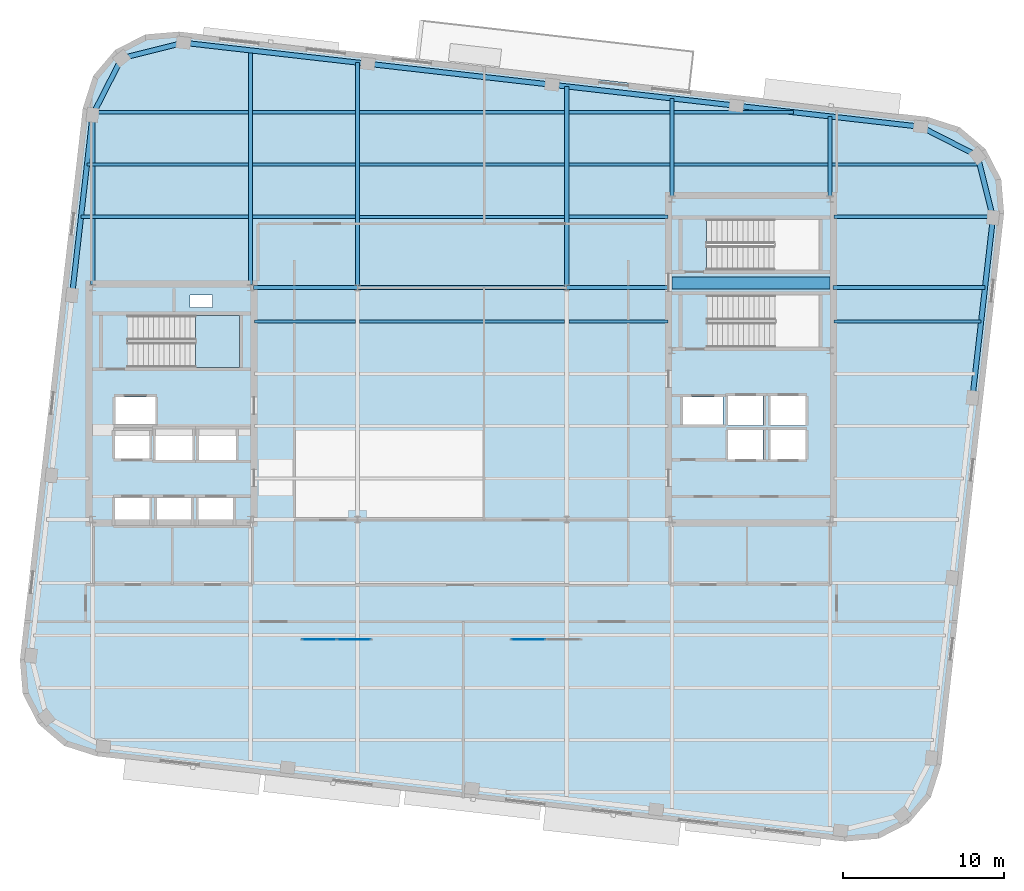
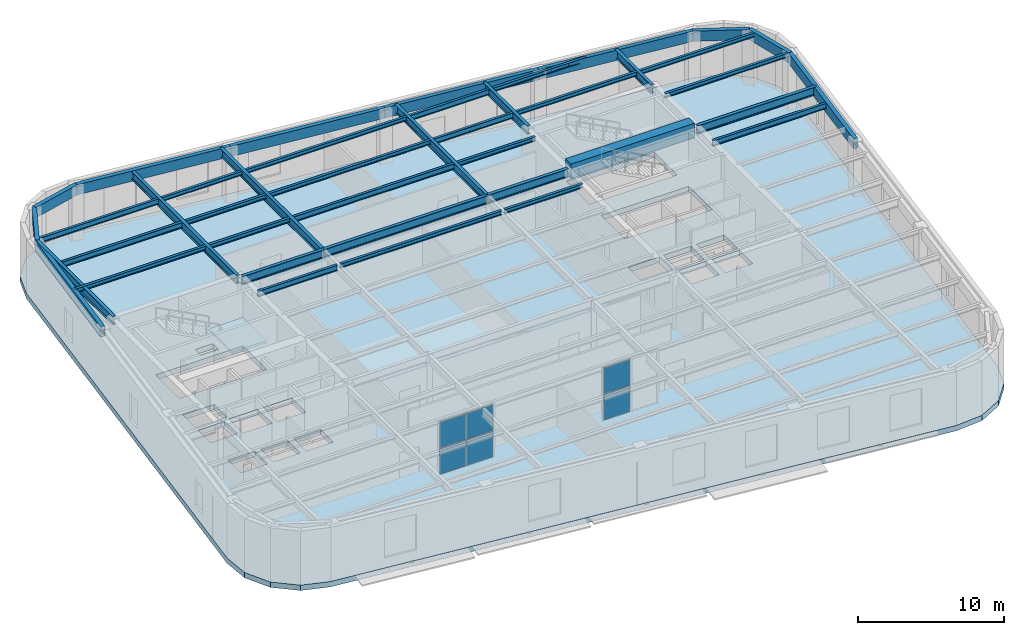
# One storey, part 6 of 15: 41 beams, 6 plates, 2 slabs, 3 elements without a shape of their own.
"""IFC4 building model written with IfcOpenShell, lengths in metres."""

from ifc_helpers import new_model, si_unit, direction, frame, origin, origin_2d, place, context, subcontext, project, spatial, polyline, rectangle, hollow_rectangle, i_section, outline, extrude, material, layer, layer_set, material_profile, profile_set, type_object, element, aggregate, save


model = new_model("IFC4")

# Units and contexts
model_context = context("Model", 3, precision=1e-05, world=origin(), true_north=direction((0.0, 1.0)))
body_context = subcontext(model_context, "Body", "Model", "MODEL_VIEW")
ifc_project = project(units=[si_unit("LENGTHUNIT", "METRE"), si_unit("AREAUNIT", "SQUARE_METRE"), si_unit("VOLUMEUNIT", "CUBIC_METRE"), si_unit("PLANEANGLEUNIT", "RADIAN"), si_unit("MASSUNIT", "GRAM", prefix="KILO")], contexts=[model_context])

# Site, building, storey
site_placement = place(None, origin())
site = spatial("IfcSite", under=ifc_project, at=site_placement, CompositionType="ELEMENT")
building_placement = place(site_placement, origin())
building = spatial("IfcBuilding", under=site, at=building_placement, Name="Kolvaren Arena Tower", CompositionType="ELEMENT")
storey_placement = place(building_placement, frame((0.0, 0.0, 216.14990234375)))
storey = spatial("IfcBuildingStorey", under=building, at=storey_placement, Name="L52", CompositionType="ELEMENT", Elevation=216.14990234375)

# Beams
ifc_material_1 = material(Name="Steel CSA G40.21 350W", Category="steel")
ifc_material_profile_1 = material_profile(ifc_material_1, i_section(OverallWidth=0.193115234375, OverallDepth=0.462890625, WebThickness=0.0107421875, FlangeThickness=0.0205078125, FilletRadius=0.012939453125, at=origin_2d()), Name="W460x113")
ifc_profile_set_1 = profile_set([ifc_material_profile_1], Name="Steel CSA G40.21 350W")
beam_type_1 = type_object("IfcBeamType", Name="BEAM-F2", PredefinedType="BEAM", material=ifc_profile_set_1)
beam_1_placement = place(storey_placement, frame((24.594970703125, 31.75, 4.298583984375), z_axis=(1.0, 0.0, 0.0), x_axis=(0.0, 1.0, 0.0)))
element("IfcBeam", 1, at=beam_1_placement, inside=storey, type_object=beam_type_1, Name="Composite Floor Beam (L52)", PredefinedType="BEAM", context=body_context, shape_type="SweptSolid", body=[
    extrude(i_section(OverallWidth=0.193115234375, OverallDepth=0.462890625, WebThickness=0.0107421875, FlangeThickness=0.0205078125, FilletRadius=0.012939453125, at=origin_2d()), origin(), (0.0, 0.0, 1.0), 6.277587890625),
])
beam_2_placement = place(storey_placement, frame((60.594970703125, 31.75, 4.298583984375), z_axis=(1.0, 0.0, 0.0), x_axis=(0.0, 1.0, 0.0)))
element("IfcBeam", 2, at=beam_2_placement, inside=storey, type_object=beam_type_1, Name="Composite Floor Beam (L52)", PredefinedType="BEAM", context=body_context, shape_type="SweptSolid", body=[
    extrude(i_section(OverallWidth=0.193115234375, OverallDepth=0.462890625, WebThickness=0.0107421875, FlangeThickness=0.0205078125, FilletRadius=0.012939453125, at=origin_2d()), origin(), (0.0, 0.0, 1.0), 9.15185546875),
])
beam_3_placement = place(storey_placement, frame((31.12744140625, 38.25, 4.298583984375), z_axis=(1.0, 0.0, 0.0), x_axis=(0.0, 1.0, 0.0)))
element("IfcBeam", 3, at=beam_3_placement, inside=storey, type_object=beam_type_1, Name="Composite Floor Beam (L52)", PredefinedType="BEAM", context=body_context, shape_type="SweptSolid", body=[
    extrude(i_section(OverallWidth=0.193115234375, OverallDepth=0.462890625, WebThickness=0.0107421875, FlangeThickness=0.0205078125, FilletRadius=0.012939453125, at=origin_2d()), origin(), (0.0, 0.0, 1.0), 12.7451171875),
])
beam_4_placement = place(storey_placement, frame((14.193359375, 41.5, 4.298583984375), z_axis=(1.0, 0.0, 0.0), x_axis=(0.0, 1.0, 0.0)))
element("IfcBeam", 4, at=beam_4_placement, inside=storey, type_object=beam_type_1, Name="Composite Floor Beam (L52)", PredefinedType="BEAM", context=body_context, shape_type="SweptSolid", body=[
    extrude(i_section(OverallWidth=0.193115234375, OverallDepth=0.462890625, WebThickness=0.0107421875, FlangeThickness=0.0205078125, FilletRadius=0.012939453125, at=origin_2d()), origin(), (0.0, 0.0, 1.0), 10.029052734375),
])
beam_5_placement = place(storey_placement, frame((44.12744140625, 41.5, 4.298583984375), z_axis=(1.0, 0.0, 0.0), x_axis=(0.0, 1.0, 0.0)))
element("IfcBeam", 5, at=beam_5_placement, inside=storey, type_object=beam_type_1, Name="Composite Floor Beam (L52)", PredefinedType="BEAM", context=body_context, shape_type="SweptSolid", body=[
    extrude(i_section(OverallWidth=0.193115234375, OverallDepth=0.462890625, WebThickness=0.0107421875, FlangeThickness=0.0205078125, FilletRadius=0.012939453125, at=origin_2d()), origin(), (0.0, 0.0, 1.0), 6.295166015625),
])
beam_6_placement = place(storey_placement, frame((14.632080078125, 44.75, 4.298583984375), z_axis=(1.0, 0.0, 0.0), x_axis=(0.0, 1.0, 0.0)))
element("IfcBeam", 6, at=beam_6_placement, inside=storey, type_object=beam_type_1, Name="Composite Floor Beam (L52)", PredefinedType="BEAM", context=body_context, shape_type="SweptSolid", body=[
    extrude(i_section(OverallWidth=0.193115234375, OverallDepth=0.462890625, WebThickness=0.0107421875, FlangeThickness=0.0205078125, FilletRadius=0.012939453125, at=origin_2d()), origin(), (0.0, 0.0, 1.0), 9.59033203125),
])
beam_7_placement = place(storey_placement, frame((44.12744140625, 44.75, 4.298583984375), z_axis=(1.0, 0.0, 0.0), x_axis=(0.0, 1.0, 0.0)))
element("IfcBeam", 7, at=beam_7_placement, inside=storey, type_object=beam_type_1, Name="Composite Floor Beam (L52)", PredefinedType="BEAM", context=body_context, shape_type="SweptSolid", body=[
    extrude(i_section(OverallWidth=0.193115234375, OverallDepth=0.462890625, WebThickness=0.0107421875, FlangeThickness=0.0205078125, FilletRadius=0.012939453125, at=origin_2d()), origin(), (0.0, 0.0, 1.0), 6.295166015625),
])
ifc_material_2 = material(Name="Concrete 60 MPa", Category="concrete")
ifc_material_profile_2 = material_profile(ifc_material_2, rectangle(XDim=0.75, YDim=1.199951171875, at=origin_2d()), Name="RC-750x1200")
ifc_profile_set_2 = profile_set([ifc_material_profile_2], Name="Concrete 60 MPa")
beam_type_2 = type_object("IfcBeamType", Name="CB-CORE-2", PredefinedType="BEAM", material=ifc_profile_set_2)
beam_8_placement = place(storey_placement, frame((50.550048828125, 34.14990234375, 4.2001953125), z_axis=(1.0, 0.0, 0.0), x_axis=(0.0, 1.0, 0.0)))
element("IfcBeam", 8, at=beam_8_placement, inside=storey, type_object=beam_type_2, Name="East Core Coupling Beam (L52)", PredefinedType="BEAM", context=body_context, shape_type="SweptSolid", body=[
    extrude(rectangle(XDim=0.75, YDim=1.199951171875, at=origin_2d()), origin(), (0.0, 0.0, 1.0), 9.800048828125),
])
ifc_material_profile_3 = material_profile(ifc_material_1, i_section(OverallWidth=0.2548828125, OverallDepth=0.695068359375, WebThickness=0.01708984375, FlangeThickness=0.02978515625, FilletRadius=0.01611328125, at=origin_2d()), Name="W690x217")
ifc_profile_set_3 = profile_set([ifc_material_profile_3], Name="Steel CSA G40.21 350W")
beam_type_3 = type_object("IfcBeamType", Name="GIRD-T2", PredefinedType="BEAM", material=ifc_profile_set_3)
beam_9_placement = place(storey_placement, frame((24.554931640625, 33.85009765625, 4.1826171875), z_axis=(1.0, 0.0, 0.0), x_axis=(0.0, 1.0, 0.0)))
element("IfcBeam", 9, at=beam_9_placement, inside=storey, type_object=beam_type_3, Name="Primary Floor Girder (L52)", PredefinedType="BEAM", context=body_context, shape_type="SweptSolid", body=[
    extrude(i_section(OverallWidth=0.2548828125, OverallDepth=0.695068359375, WebThickness=0.01708984375, FlangeThickness=0.02978515625, FilletRadius=0.01611328125, at=origin_2d()), origin(), (0.0, 0.0, 1.0), 6.445068359375),
])
beam_10_placement = place(storey_placement, frame((31.0, 33.85009765625, 4.1826171875), z_axis=(1.0, 0.0, 0.0), x_axis=(0.0, 1.0, 0.0)))
element("IfcBeam", 10, at=beam_10_placement, inside=storey, type_object=beam_type_3, Name="Primary Floor Girder (L52)", PredefinedType="BEAM", context=body_context, shape_type="SweptSolid", body=[
    extrude(i_section(OverallWidth=0.2548828125, OverallDepth=0.695068359375, WebThickness=0.01708984375, FlangeThickness=0.02978515625, FilletRadius=0.01611328125, at=origin_2d()), origin(), (0.0, 0.0, 1.0), 13.0),
])
beam_11_placement = place(storey_placement, frame((44.0, 33.85009765625, 4.1826171875), z_axis=(1.0, 0.0, 0.0), x_axis=(0.0, 1.0, 0.0)))
element("IfcBeam", 11, at=beam_11_placement, inside=storey, type_object=beam_type_3, Name="Primary Floor Girder (L52)", PredefinedType="BEAM", context=body_context, shape_type="SweptSolid", body=[
    extrude(i_section(OverallWidth=0.2548828125, OverallDepth=0.695068359375, WebThickness=0.01708984375, FlangeThickness=0.02978515625, FilletRadius=0.01611328125, at=origin_2d()), origin(), (0.0, 0.0, 1.0), 6.344970703125),
])
beam_12_placement = place(storey_placement, frame((60.554931640625, 33.85009765625, 4.1826171875), z_axis=(1.0, 0.0, 0.0), x_axis=(0.0, 1.0, 0.0)))
element("IfcBeam", 12, at=beam_12_placement, inside=storey, type_object=beam_type_3, Name="Primary Floor Girder (L52)", PredefinedType="BEAM", context=body_context, shape_type="SweptSolid", body=[
    extrude(i_section(OverallWidth=0.2548828125, OverallDepth=0.695068359375, WebThickness=0.01708984375, FlangeThickness=0.02978515625, FilletRadius=0.01611328125, at=origin_2d()), origin(), (0.0, 0.0, 1.0), 9.43115234375),
])
beam_13_placement = place(storey_placement, frame((14.550048828125, 34.054931640625, 4.1826171875), z_axis=(0.0, 1.0, 0.0), x_axis=(-1.0, 0.0, 0.0)))
element("IfcBeam", 13, at=beam_13_placement, inside=storey, type_object=beam_type_3, Name="Primary Floor Girder (L52)", PredefinedType="BEAM", context=body_context, shape_type="SweptSolid", body=[
    extrude(i_section(OverallWidth=0.2548828125, OverallDepth=0.695068359375, WebThickness=0.01708984375, FlangeThickness=0.02978515625, FilletRadius=0.01611328125, at=origin_2d()), origin(), (0.0, 0.0, 1.0), 10.53466796875),
])
beam_14_placement = place(storey_placement, frame((24.35009765625, 34.054931640625, 4.1826171875), z_axis=(0.0, 1.0, 0.0), x_axis=(-1.0, 0.0, 0.0)))
element("IfcBeam", 14, at=beam_14_placement, inside=storey, type_object=beam_type_3, Name="Primary Floor Girder (L52)", PredefinedType="BEAM", context=body_context, shape_type="SweptSolid", body=[
    extrude(i_section(OverallWidth=0.2548828125, OverallDepth=0.695068359375, WebThickness=0.01708984375, FlangeThickness=0.02978515625, FilletRadius=0.01611328125, at=origin_2d()), origin(), (0.0, 0.0, 1.0), 14.538818359375),
])
beam_15_placement = place(storey_placement, frame((31.0, 33.85009765625, 4.1826171875), z_axis=(0.0, 1.0, 0.0), x_axis=(-1.0, 0.0, 0.0)))
element("IfcBeam", 15, at=beam_15_placement, inside=storey, type_object=beam_type_3, Name="Primary Floor Girder (L52)", PredefinedType="BEAM", context=body_context, shape_type="SweptSolid", body=[
    extrude(i_section(OverallWidth=0.2548828125, OverallDepth=0.695068359375, WebThickness=0.01708984375, FlangeThickness=0.02978515625, FilletRadius=0.01611328125, at=origin_2d()), origin(), (0.0, 0.0, 1.0), 13.986083984375),
])
beam_16_placement = place(storey_placement, frame((44.0, 33.85009765625, 4.1826171875), z_axis=(0.0, 1.0, 0.0), x_axis=(-1.0, 0.0, 0.0)))
element("IfcBeam", 16, at=beam_16_placement, inside=storey, type_object=beam_type_3, Name="Primary Floor Girder (L52)", PredefinedType="BEAM", context=body_context, shape_type="SweptSolid", body=[
    extrude(i_section(OverallWidth=0.2548828125, OverallDepth=0.695068359375, WebThickness=0.01708984375, FlangeThickness=0.02978515625, FilletRadius=0.01611328125, at=origin_2d()), origin(), (0.0, 0.0, 1.0), 12.5048828125),
])
beam_17_placement = place(storey_placement, frame((50.550048828125, 39.554931640625, 4.1826171875), z_axis=(0.0, 1.0, 0.0), x_axis=(-1.0, 0.0, 0.0)))
element("IfcBeam", 17, at=beam_17_placement, inside=storey, type_object=beam_type_3, Name="Primary Floor Girder (L52)", PredefinedType="BEAM", context=body_context, shape_type="SweptSolid", body=[
    extrude(i_section(OverallWidth=0.2548828125, OverallDepth=0.695068359375, WebThickness=0.01708984375, FlangeThickness=0.02978515625, FilletRadius=0.01611328125, at=origin_2d()), origin(), (0.0, 0.0, 1.0), 6.0537109375),
])
beam_18_placement = place(storey_placement, frame((60.35009765625, 39.554931640625, 4.1826171875), z_axis=(0.0, 1.0, 0.0), x_axis=(-1.0, 0.0, 0.0)))
element("IfcBeam", 18, at=beam_18_placement, inside=storey, type_object=beam_type_3, Name="Primary Floor Girder (L52)", PredefinedType="BEAM", context=body_context, shape_type="SweptSolid", body=[
    extrude(i_section(OverallWidth=0.2548828125, OverallDepth=0.695068359375, WebThickness=0.01708984375, FlangeThickness=0.02978515625, FilletRadius=0.01611328125, at=origin_2d()), origin(), (0.0, 0.0, 1.0), 4.937255859375),
])
ifc_material_profile_4 = material_profile(ifc_material_1, i_section(OverallWidth=0.202880859375, OverallDepth=0.346923828125, WebThickness=0.0078125, FlangeThickness=0.013427734375, FilletRadius=0.010986328125, at=origin_2d()), Name="W360x64")
ifc_profile_set_4 = profile_set([ifc_material_profile_4], Name="Steel CSA G40.21 350W")
beam_type_4 = type_object("IfcBeamType", Name="JOIST-01", PredefinedType="JOIST", material=ifc_profile_set_4)
beam_19_placement = place(storey_placement, frame((31.12744140625, 31.75, 4.356689453125), z_axis=(1.0, 0.0, 0.0), x_axis=(0.0, 1.0, 0.0)))
element("IfcBeam", 19, at=beam_19_placement, inside=storey, type_object=beam_type_4, Name="Composite Floor Joist (L52)", PredefinedType="JOIST", context=body_context, shape_type="SweptSolid", body=[
    extrude(i_section(OverallWidth=0.202880859375, OverallDepth=0.346923828125, WebThickness=0.0078125, FlangeThickness=0.013427734375, FilletRadius=0.010986328125, at=origin_2d()), origin(), (0.0, 0.0, 1.0), 12.7451171875),
])
beam_20_placement = place(storey_placement, frame((44.12744140625, 31.75, 4.356689453125), z_axis=(1.0, 0.0, 0.0), x_axis=(0.0, 1.0, 0.0)))
element("IfcBeam", 20, at=beam_20_placement, inside=storey, type_object=beam_type_4, Name="Composite Floor Joist (L52)", PredefinedType="JOIST", context=body_context, shape_type="SweptSolid", body=[
    extrude(i_section(OverallWidth=0.202880859375, OverallDepth=0.346923828125, WebThickness=0.0078125, FlangeThickness=0.013427734375, FilletRadius=0.010986328125, at=origin_2d()), origin(), (0.0, 0.0, 1.0), 6.177490234375),
])
beam_21_placement = place(storey_placement, frame((13.822998046875, 38.25, 4.356689453125), z_axis=(1.0, 0.0, 0.0), x_axis=(0.0, 1.0, 0.0)))
element("IfcBeam", 21, at=beam_21_placement, inside=storey, type_object=beam_type_4, Name="Composite Floor Joist (L52)", PredefinedType="JOIST", context=body_context, shape_type="SweptSolid", body=[
    extrude(i_section(OverallWidth=0.202880859375, OverallDepth=0.346923828125, WebThickness=0.0078125, FlangeThickness=0.013427734375, FilletRadius=0.010986328125, at=origin_2d()), origin(), (0.0, 0.0, 1.0), 10.3994140625),
])
beam_22_placement = place(storey_placement, frame((24.4775390625, 38.25, 4.356689453125), z_axis=(1.0, 0.0, 0.0), x_axis=(0.0, 1.0, 0.0)))
element("IfcBeam", 22, at=beam_22_placement, inside=storey, type_object=beam_type_4, Name="Composite Floor Joist (L52)", PredefinedType="JOIST", context=body_context, shape_type="SweptSolid", body=[
    extrude(i_section(OverallWidth=0.202880859375, OverallDepth=0.346923828125, WebThickness=0.0078125, FlangeThickness=0.013427734375, FilletRadius=0.010986328125, at=origin_2d()), origin(), (0.0, 0.0, 1.0), 6.39501953125),
])
beam_23_placement = place(storey_placement, frame((44.12744140625, 38.25, 4.356689453125), z_axis=(1.0, 0.0, 0.0), x_axis=(0.0, 1.0, 0.0)))
element("IfcBeam", 23, at=beam_23_placement, inside=storey, type_object=beam_type_4, Name="Composite Floor Joist (L52)", PredefinedType="JOIST", context=body_context, shape_type="SweptSolid", body=[
    extrude(i_section(OverallWidth=0.202880859375, OverallDepth=0.346923828125, WebThickness=0.0078125, FlangeThickness=0.013427734375, FilletRadius=0.010986328125, at=origin_2d()), origin(), (0.0, 0.0, 1.0), 6.177490234375),
])
beam_24_placement = place(storey_placement, frame((60.594970703125, 38.25, 4.356689453125), z_axis=(1.0, 0.0, 0.0), x_axis=(0.0, 1.0, 0.0)))
element("IfcBeam", 24, at=beam_24_placement, inside=storey, type_object=beam_type_4, Name="Composite Floor Joist (L52)", PredefinedType="JOIST", context=body_context, shape_type="SweptSolid", body=[
    extrude(i_section(OverallWidth=0.202880859375, OverallDepth=0.346923828125, WebThickness=0.0078125, FlangeThickness=0.013427734375, FilletRadius=0.010986328125, at=origin_2d()), origin(), (0.0, 0.0, 1.0), 9.8759765625),
])
beam_25_placement = place(storey_placement, frame((24.4775390625, 41.5, 4.356689453125), z_axis=(1.0, 0.0, 0.0), x_axis=(0.0, 1.0, 0.0)))
element("IfcBeam", 25, at=beam_25_placement, inside=storey, type_object=beam_type_4, Name="Composite Floor Joist (L52)", PredefinedType="JOIST", context=body_context, shape_type="SweptSolid", body=[
    extrude(i_section(OverallWidth=0.202880859375, OverallDepth=0.346923828125, WebThickness=0.0078125, FlangeThickness=0.013427734375, FilletRadius=0.010986328125, at=origin_2d()), origin(), (0.0, 0.0, 1.0), 6.39501953125),
])
beam_26_placement = place(storey_placement, frame((31.12744140625, 41.5, 4.356689453125), z_axis=(1.0, 0.0, 0.0), x_axis=(0.0, 1.0, 0.0)))
element("IfcBeam", 26, at=beam_26_placement, inside=storey, type_object=beam_type_4, Name="Composite Floor Joist (L52)", PredefinedType="JOIST", context=body_context, shape_type="SweptSolid", body=[
    extrude(i_section(OverallWidth=0.202880859375, OverallDepth=0.346923828125, WebThickness=0.0078125, FlangeThickness=0.013427734375, FilletRadius=0.010986328125, at=origin_2d()), origin(), (0.0, 0.0, 1.0), 12.7451171875),
])
beam_27_placement = place(storey_placement, frame((50.677490234375, 41.5, 4.356689453125), z_axis=(1.0, 0.0, 0.0), x_axis=(0.0, 1.0, 0.0)))
element("IfcBeam", 27, at=beam_27_placement, inside=storey, type_object=beam_type_4, Name="Composite Floor Joist (L52)", PredefinedType="JOIST", context=body_context, shape_type="SweptSolid", body=[
    extrude(i_section(OverallWidth=0.202880859375, OverallDepth=0.346923828125, WebThickness=0.0078125, FlangeThickness=0.013427734375, FilletRadius=0.010986328125, at=origin_2d()), origin(), (0.0, 0.0, 1.0), 9.544921875),
])
beam_28_placement = place(storey_placement, frame((60.4775390625, 41.5, 4.356689453125), z_axis=(1.0, 0.0, 0.0), x_axis=(0.0, 1.0, 0.0)))
element("IfcBeam", 28, at=beam_28_placement, inside=storey, type_object=beam_type_4, Name="Composite Floor Joist (L52)", PredefinedType="JOIST", context=body_context, shape_type="SweptSolid", body=[
    extrude(i_section(OverallWidth=0.202880859375, OverallDepth=0.346923828125, WebThickness=0.0078125, FlangeThickness=0.013427734375, FilletRadius=0.010986328125, at=origin_2d()), origin(), (0.0, 0.0, 1.0), 9.17919921875),
])
beam_29_placement = place(storey_placement, frame((24.4775390625, 44.75, 4.356689453125), z_axis=(1.0, 0.0, 0.0), x_axis=(0.0, 1.0, 0.0)))
element("IfcBeam", 29, at=beam_29_placement, inside=storey, type_object=beam_type_4, Name="Composite Floor Joist (L52)", PredefinedType="JOIST", context=body_context, shape_type="SweptSolid", body=[
    extrude(i_section(OverallWidth=0.202880859375, OverallDepth=0.346923828125, WebThickness=0.0078125, FlangeThickness=0.013427734375, FilletRadius=0.010986328125, at=origin_2d()), origin(), (0.0, 0.0, 1.0), 6.39501953125),
])
beam_30_placement = place(storey_placement, frame((31.12744140625, 44.75, 4.356689453125), z_axis=(1.0, 0.0, 0.0), x_axis=(0.0, 1.0, 0.0)))
element("IfcBeam", 30, at=beam_30_placement, inside=storey, type_object=beam_type_4, Name="Composite Floor Joist (L52)", PredefinedType="JOIST", context=body_context, shape_type="SweptSolid", body=[
    extrude(i_section(OverallWidth=0.202880859375, OverallDepth=0.346923828125, WebThickness=0.0078125, FlangeThickness=0.013427734375, FilletRadius=0.010986328125, at=origin_2d()), origin(), (0.0, 0.0, 1.0), 12.7451171875),
])
beam_31_placement = place(storey_placement, frame((50.677490234375, 44.75, 4.356689453125), z_axis=(1.0, 0.0, 0.0), x_axis=(0.0, 1.0, 0.0)))
element("IfcBeam", 31, at=beam_31_placement, inside=storey, type_object=beam_type_4, Name="Composite Floor Joist (L52)", PredefinedType="JOIST", context=body_context, shape_type="SweptSolid", body=[
    extrude(i_section(OverallWidth=0.202880859375, OverallDepth=0.346923828125, WebThickness=0.0078125, FlangeThickness=0.013427734375, FilletRadius=0.010986328125, at=origin_2d()), origin(), (0.0, 0.0, 1.0), 7.40869140625),
])
ifc_material_3 = material(Name="Steel CSA G40.21 350WT", Category="steel")
ifc_material_profile_5 = material_profile(ifc_material_3, hollow_rectangle(XDim=0.320068359375, YDim=0.860107421875, WallThickness=0.01806640625, at=origin_2d()), Name="HSS 860x320x18")
ifc_profile_set_5 = profile_set([ifc_material_profile_5], Name="Steel CSA G40.21 350WT")
beam_type_5 = type_object("IfcBeamType", Name="SPAND-02", PredefinedType="SPANDREL", material=ifc_profile_set_5)
beam_32_placement = place(storey_placement, frame((69.206787109375, 27.010498046875, 4.10009765625), z_axis=(0.113201896536, 0.993572005755, 0.0), x_axis=(-0.993572005755, 0.113201896536, 0.0)))
element("IfcBeam", 32, at=beam_32_placement, inside=storey, type_object=beam_type_5, Name="Perimeter Spandrel Beam (L52)", PredefinedType="SPANDREL", context=body_context, shape_type="SweptSolid", body=[
    extrude(hollow_rectangle(XDim=0.320068359375, YDim=0.860107421875, WallThickness=0.01806640625, at=origin_2d()), origin(), (0.0, 0.0, 1.0), 11.2666015625),
])
for number, where, z_axis, x_axis, name in (
    (33, (70.482177734375, 38.20458984375, 4.10009765625), (-0.242956154878, 0.970037270834, 0.0), (-0.970037270834, -0.242956154878, 0.0), "Perimeter Spandrel Beam (L52)"),
    (34, (69.519775390625, 42.047119140625, 4.10009765625), (-0.890535676656, 0.454913407807, 0.0), (-0.454913407807, -0.890535676656, 0.0), "Perimeter Spandrel Beam (L52)"),
):
    element("IfcBeam", number, at=place(storey_placement, frame(where, z_axis=z_axis, x_axis=x_axis)), inside=storey, type_object=beam_type_5, Name=name, PredefinedType="SPANDREL", context=body_context, shape_type="SweptSolid", body=[
        extrude(hollow_rectangle(XDim=0.320068359375, YDim=0.860107421875, WallThickness=0.01806640625, at=origin_2d()), origin(), (0.0, 0.0, 1.0), 3.961181640625),
    ])
beam_33_placement = place(storey_placement, frame((65.9921875, 43.84912109375, 4.10009765625), z_axis=(-0.993571397957, 0.113207231049, 0.0), x_axis=(-0.113207231049, -0.993571397957, 0.0)))
element("IfcBeam", 35, at=beam_33_placement, inside=storey, type_object=beam_type_5, Name="Perimeter Spandrel Beam (L52)", PredefinedType="SPANDREL", context=body_context, shape_type="SweptSolid", body=[
    extrude(hollow_rectangle(XDim=0.320068359375, YDim=0.860107421875, WallThickness=0.01806640625, at=origin_2d()), origin(), (0.0, 0.0, 1.0), 11.524658203125),
])
for number, where, z_axis, x_axis, name in (
    (36, (54.54150390625, 45.15380859375, 4.10009765625), (-0.99357166944, 0.113204848336, 0.0), (-0.113204848336, -0.99357166944, 0.0), "Perimeter Spandrel Beam (L52)"),
    (37, (43.090576171875, 46.45849609375, 4.10009765625), (-0.99357166944, 0.113204848336, 0.0), (-0.113204848336, -0.99357166944, 0.0), "Perimeter Spandrel Beam (L52)"),
    (38, (31.6396484375, 47.76318359375, 4.10009765625), (-0.99357166944, 0.113204848336, 0.0), (-0.113204848336, -0.99357166944, 0.0), "Perimeter Spandrel Beam (L52)"),
):
    element("IfcBeam", number, at=place(storey_placement, frame(where, z_axis=z_axis, x_axis=x_axis)), inside=storey, type_object=beam_type_5, Name=name, PredefinedType="SPANDREL", context=body_context, shape_type="SweptSolid", body=[
        extrude(hollow_rectangle(XDim=0.320068359375, YDim=0.860107421875, WallThickness=0.01806640625, at=origin_2d()), origin(), (0.0, 0.0, 1.0), 11.52490234375),
    ])
for number, where, z_axis, x_axis, name in (
    (39, (20.188720703125, 49.06787109375, 4.10009765625), (-0.970037270834, -0.242956154878, 0.0), (0.242956154878, -0.970037270834, 0.0), "Perimeter Spandrel Beam (L52)"),
    (40, (16.34619140625, 48.10546875, 4.10009765625), (-0.454913407807, -0.890535676656, 0.0), (0.890535676656, -0.454913407807, 0.0), "Perimeter Spandrel Beam (L52)"),
):
    element("IfcBeam", number, at=place(storey_placement, frame(where, z_axis=z_axis, x_axis=x_axis)), inside=storey, type_object=beam_type_5, Name=name, PredefinedType="SPANDREL", context=body_context, shape_type="SweptSolid", body=[
        extrude(hollow_rectangle(XDim=0.320068359375, YDim=0.860107421875, WallThickness=0.01806640625, at=origin_2d()), origin(), (0.0, 0.0, 1.0), 3.961181640625),
    ])
beam_34_placement = place(storey_placement, frame((14.544189453125, 44.577880859375, 4.10009765625), z_axis=(-0.113201896536, -0.993572005755, 0.0), x_axis=(0.993572005755, -0.113201896536, 0.0)))
element("IfcBeam", 41, at=beam_34_placement, inside=storey, type_object=beam_type_5, Name="Perimeter Spandrel Beam (L52)", PredefinedType="SPANDREL", context=body_context, shape_type="SweptSolid", body=[
    extrude(hollow_rectangle(XDim=0.320068359375, YDim=0.860107421875, WallThickness=0.01806640625, at=origin_2d()), origin(), (0.0, 0.0, 1.0), 11.2666015625),
])

# Curtain wall, plates
ifc_material_4 = material(Name="Anodised aluminium unitised curtain wall", Category="aluminium")
curtain_wall_type = type_object("IfcCurtainWallType", Name="CW-SYS-03", PredefinedType="USERDEFINED", material=ifc_material_4)
curtain_wall_1_placement = place(storey_placement, origin())
curtain_wall_1 = element("IfcCurtainWall", 42, at=curtain_wall_1_placement, inside=storey, type_object=curtain_wall_type, Name="Sky Lobby Feature Curtain Wall (L52)", ObjectType="UNITISED CURTAIN WALL", PredefinedType="USERDEFINED")
ifc_material_5 = material(Name="Triple-silver low-E insulated glazing unit", Category="glass")
ifc_layer_1 = layer(ifc_material_5, 0.0439453125)
ifc_layer_set_1 = layer_set([ifc_layer_1], Name="Triple-silver low-E insulated glazing unit")
plate_type = type_object("IfcPlateType", Name="CWP-VIS1", PredefinedType="CURTAIN_PANEL", material=ifc_layer_set_1)
plate_1_placement = place(storey_placement, frame((28.6201171875, 12.0, 0.080078125), z_axis=(0.0, 0.0, 1.0), x_axis=(1.0, 0.0, 0.0)))
plate_1 = element("IfcPlate", 43, at=plate_1_placement, type_object=plate_type, Name="CW3 panel 1.1", PredefinedType="CURTAIN_PANEL", context=body_context, shape_type="SweptSolid", body=[
    extrude(rectangle(XDim=2.080078125, YDim=0.0439453125, at=origin_2d()), origin(), (0.0, 0.0, 1.0), 2.14501953125),
])
plate_2_placement = place(storey_placement, frame((28.6201171875, 12.0, 2.30517578125), z_axis=(0.0, 0.0, 1.0), x_axis=(1.0, 0.0, 0.0)))
plate_2 = element("IfcPlate", 44, at=plate_2_placement, type_object=plate_type, Name="CW3 panel 1.2", PredefinedType="CURTAIN_PANEL", context=body_context, shape_type="SweptSolid", body=[
    extrude(rectangle(XDim=2.080078125, YDim=0.0439453125, at=origin_2d()), origin(), (0.0, 0.0, 1.0), 2.14501953125),
])
plate_3_placement = place(storey_placement, frame((30.780029296875, 12.0, 0.080078125), z_axis=(0.0, 0.0, 1.0), x_axis=(1.0, 0.0, 0.0)))
plate_3 = element("IfcPlate", 45, at=plate_3_placement, type_object=plate_type, Name="CW3 panel 2.1", PredefinedType="CURTAIN_PANEL", context=body_context, shape_type="SweptSolid", body=[
    extrude(rectangle(XDim=2.080078125, YDim=0.0439453125, at=origin_2d()), origin(), (0.0, 0.0, 1.0), 2.14501953125),
])
plate_4_placement = place(storey_placement, frame((30.780029296875, 12.0, 2.30517578125), z_axis=(0.0, 0.0, 1.0), x_axis=(1.0, 0.0, 0.0)))
plate_4 = element("IfcPlate", 46, at=plate_4_placement, type_object=plate_type, Name="CW3 panel 2.2", PredefinedType="CURTAIN_PANEL", context=body_context, shape_type="SweptSolid", body=[
    extrude(rectangle(XDim=2.080078125, YDim=0.0439453125, at=origin_2d()), origin(), (0.0, 0.0, 1.0), 2.14501953125),
])
aggregate(curtain_wall_1, [plate_1, plate_2, plate_3, plate_4])

curtain_wall_2_placement = place(storey_placement, origin())
curtain_wall_2 = element("IfcCurtainWall", 47, at=curtain_wall_2_placement, inside=storey, type_object=curtain_wall_type, Name="Sky Lobby Feature Curtain Wall (L52)", ObjectType="UNITISED CURTAIN WALL", PredefinedType="USERDEFINED")
plate_5_placement = place(storey_placement, frame((41.6201171875, 12.0, 0.080078125), z_axis=(0.0, 0.0, 1.0), x_axis=(1.0, 0.0, 0.0)))
plate_5 = element("IfcPlate", 48, at=plate_5_placement, type_object=plate_type, Name="CW3 panel 1.1", PredefinedType="CURTAIN_PANEL", context=body_context, shape_type="SweptSolid", body=[
    extrude(rectangle(XDim=2.080078125, YDim=0.0439453125, at=origin_2d()), origin(), (0.0, 0.0, 1.0), 2.14501953125),
])
plate_6_placement = place(storey_placement, frame((41.6201171875, 12.0, 2.30517578125), z_axis=(0.0, 0.0, 1.0), x_axis=(1.0, 0.0, 0.0)))
plate_6 = element("IfcPlate", 49, at=plate_6_placement, type_object=plate_type, Name="CW3 panel 1.2", PredefinedType="CURTAIN_PANEL", context=body_context, shape_type="SweptSolid", body=[
    extrude(rectangle(XDim=2.080078125, YDim=0.0439453125, at=origin_2d()), origin(), (0.0, 0.0, 1.0), 2.14501953125),
])
aggregate(curtain_wall_2, [plate_5, plate_6])

# Stair, slab
ifc_material_6 = material(Name="Concrete 45 MPa", Category="concrete")
stair_type = type_object("IfcStairType", Name="STAIR-CORE-165", PredefinedType="HALF_TURN_STAIR", material=ifc_material_6)
stair_placement = place(storey_placement, origin())
stair = element("IfcStair", 50, at=stair_placement, inside=storey, type_object=stair_type, Name="L52 ST-W1", PredefinedType="HALF_TURN_STAIR")
ifc_layer_2 = layer(ifc_material_6, 0.199951171875)
ifc_layer_set_2 = layer_set([ifc_layer_2], Name="Concrete 45 MPa")
slab_type_1 = type_object("IfcSlabType", Name="SLAB-LAND", PredefinedType="LANDING", material=ifc_layer_set_2)
slab_1_placement = place(storey_placement, frame((0.0, 0.0, 2.2001953125)))
slab_1 = element("IfcSlab", 51, at=slab_1_placement, type_object=slab_type_1, Name="ST-W1 landing 1", PredefinedType="LANDING", context=body_context, shape_type="SweptSolid", body=[
    extrude(outline(polyline([(20.931884765625, 28.89990234375), (23.659912109375, 28.89990234375), (23.659912109375, 32.1298828125), (20.931884765625, 32.1298828125), (20.931884765625, 28.89990234375)])), origin(), (0.0, 0.0, 1.0), 0.199951171875),
])
aggregate(stair, [slab_1])

# Slab
ifc_layer_3 = layer(ifc_material_2, 0.449951171875)
ifc_layer_set_3 = layer_set([ifc_layer_3], Name="Concrete 60 MPa")
slab_type_2 = type_object("IfcSlabType", Name="SLAB-TRANS", PredefinedType="FLOOR", material=ifc_layer_set_3)
slab_2_placement = place(storey_placement, frame((0.0, 0.0, -0.449951171875)))
element("IfcSlab", 52, at=slab_2_placement, inside=storey, type_object=slab_type_2, Name="L52 Primary Structural Slab", PredefinedType="FLOOR", context=body_context, shape_type="SweptSolid", body=[
    extrude(outline(polyline([(61.285400390625, -0.553466796875), (63.38525390625, -0.37890625), (65.25830078125, 0.585693359375), (66.619873046875, 2.194091796875), (67.26220703125, 4.20068359375), (71.16748046875, 38.47900390625), (70.9931640625, 40.57861328125), (70.0283203125, 42.45166015625), (68.42041015625, 43.81298828125), (66.41357421875, 44.455322265625), (19.91455078125, 49.75341796875), (17.814697265625, 49.578857421875), (15.941650390625, 48.6142578125), (14.580078125, 47.006103515625), (13.93798828125, 44.99951171875), (10.032470703125, 10.72119140625), (10.206787109375, 8.621337890625), (11.171630859375, 6.748291015625), (12.77978515625, 5.386962890625), (14.786376953125, 4.74462890625), (61.285400390625, -0.553466796875)]), holes=[polyline([(15.93505859375, 19.0849609375), (15.93505859375, 20.81494140625), (18.06494140625, 20.81494140625), (18.06494140625, 19.0849609375), (15.93505859375, 19.0849609375)]), polyline([(18.534912109375, 19.0849609375), (18.534912109375, 20.81494140625), (20.6650390625, 20.81494140625), (20.6650390625, 19.0849609375), (18.534912109375, 19.0849609375)]), polyline([(21.135009765625, 19.0849609375), (21.135009765625, 20.81494140625), (23.264892578125, 20.81494140625), (23.264892578125, 19.0849609375), (21.135009765625, 19.0849609375)]), polyline([(18.4599609375, 23.135009765625), (18.4599609375, 25.06494140625), (20.739990234375, 25.06494140625), (20.739990234375, 23.135009765625), (18.4599609375, 23.135009765625)]), polyline([(21.159912109375, 23.135009765625), (21.159912109375, 25.06494140625), (23.43994140625, 25.06494140625), (23.43994140625, 23.135009765625), (21.159912109375, 23.135009765625)]), polyline([(54.030029296875, 23.18505859375), (54.030029296875, 25.014892578125), (56.2099609375, 25.014892578125), (56.2099609375, 23.18505859375), (54.030029296875, 23.18505859375)]), polyline([(56.669921875, 23.18505859375), (56.669921875, 25.014892578125), (58.85009765625, 25.014892578125), (58.85009765625, 23.18505859375), (56.669921875, 23.18505859375)]), polyline([(15.93505859375, 23.235107421875), (15.93505859375, 24.965087890625), (18.06494140625, 24.965087890625), (18.06494140625, 23.235107421875), (15.93505859375, 23.235107421875)]), polyline([(54.030029296875, 25.284912109375), (54.030029296875, 27.114990234375), (56.2099609375, 27.114990234375), (56.2099609375, 25.284912109375), (54.030029296875, 25.284912109375)]), polyline([(56.669921875, 25.284912109375), (56.669921875, 27.114990234375), (58.85009765625, 27.114990234375), (58.85009765625, 25.284912109375), (56.669921875, 25.284912109375)]), polyline([(15.9599609375, 25.3349609375), (15.9599609375, 27.06494140625), (18.43994140625, 27.06494140625), (18.43994140625, 25.3349609375), (15.9599609375, 25.3349609375)]), polyline([(51.219970703125, 25.3349609375), (51.219970703125, 27.06494140625), (53.699951171875, 27.06494140625), (53.699951171875, 25.3349609375), (51.219970703125, 25.3349609375)]), polyline([(16.735107421875, 28.89990234375), (16.735107421875, 32.1298828125), (23.659912109375, 32.1298828125), (23.659912109375, 28.89990234375), (16.735107421875, 28.89990234375)]), polyline([(52.735107421875, 30.14990234375), (52.735107421875, 33.3798828125), (59.659912109375, 33.3798828125), (59.659912109375, 30.14990234375), (52.735107421875, 30.14990234375)]), polyline([(20.60009765625, 32.6201171875), (20.60009765625, 33.39990234375), (22.0, 33.39990234375), (22.0, 32.6201171875), (20.60009765625, 32.6201171875)]), polyline([(52.695068359375, 34.949951171875), (52.695068359375, 38.10009765625), (59.659912109375, 38.10009765625), (59.659912109375, 34.949951171875), (52.695068359375, 34.949951171875)])]), origin(), (0.0, 0.0, 1.0), 0.449951171875),
])

save(model, "model.ifc")
